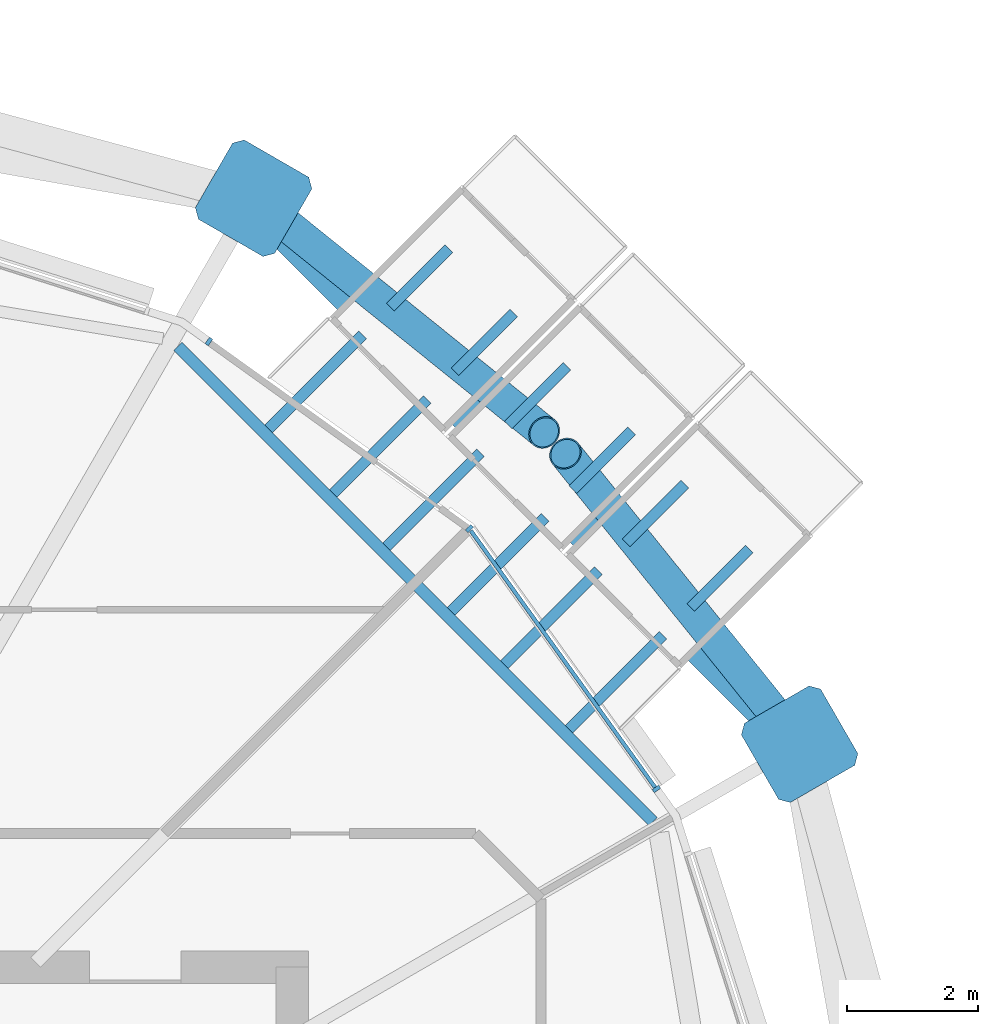
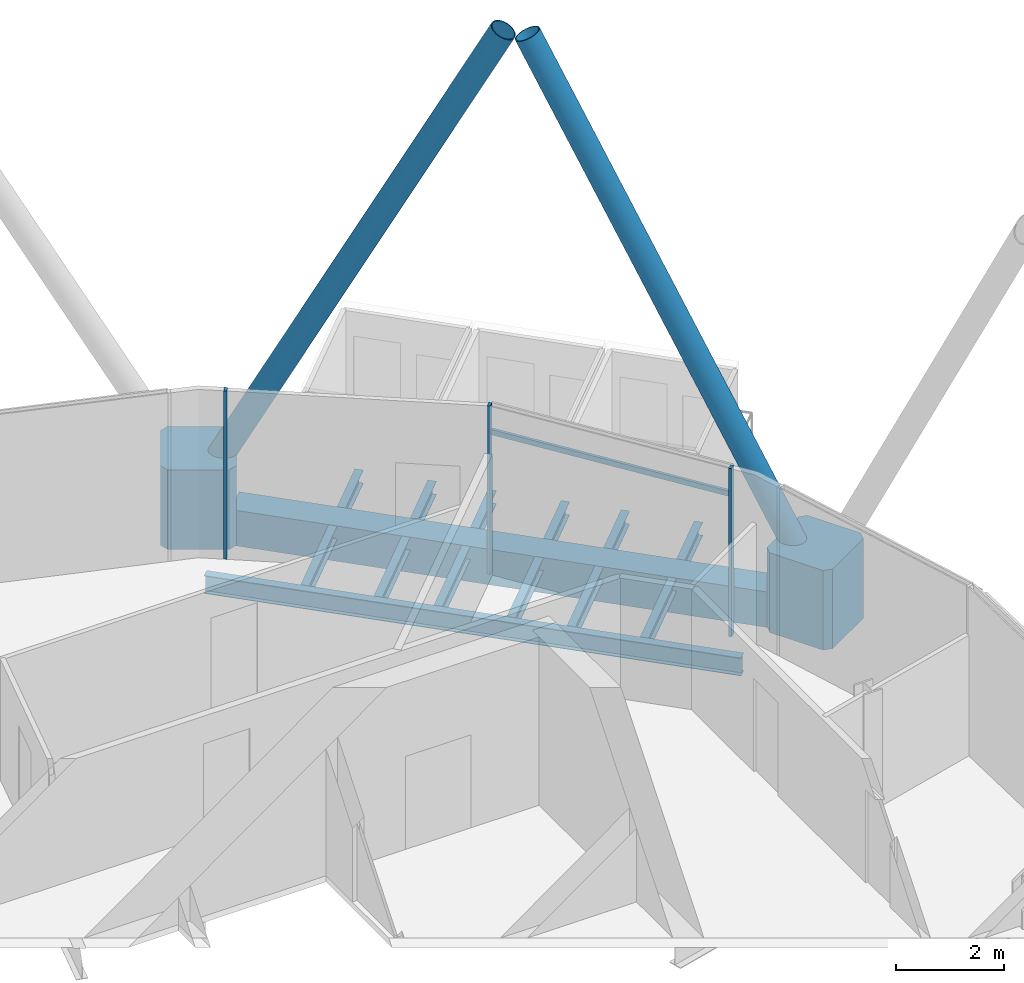
# One storey, part 18 of 34: 14 beams, 8 members, 1 element without a shape of its own.
"""IFC4 building model written with IfcOpenShell, lengths in metres."""

import ifcopenshell
import ifcopenshell.guid

model = None  # the IFC model being written
_history = None  # IfcOwnerHistory: only IFC2X3 demands one
_inside = {}  # id of a spatial element -> (the spatial element, [elements in it])
_under = {}  # id of a project, library or spatial element -> (it, [spatial elements below it])
_declared = {}  # id of a project -> (the project, [libraries it declares])
_typed = {}  # id of a type object -> (the type object, [elements of that type])
_made_of = {}  # id of a material, layer set ... -> (it, [elements and type objects made of it])


def new_model(schema):
    """Start an empty IFC model of exactly this schema.

    Asked for "IFC4X3", IfcOpenShell would pick the latest addendum, in which some entities
    have other attributes; the version numbers below select the first issue.
    IFC2X3 requires an IfcOwnerHistory on every rooted entity: one is made here for all.
    """
    global model, _history
    if schema == "IFC4X3":
        model = ifcopenshell.file(schema_version=(4, 3, 0, 0))
    else:
        model = ifcopenshell.file(schema=schema)
    _inside.clear()
    _under.clear()
    _declared.clear()
    _typed.clear()
    _made_of.clear()
    _history = None
    if model.schema == "IFC2X3":
        org = make("IfcOrganization", Name="unknown")
        user = make(
            "IfcPersonAndOrganization",
            ThePerson=make("IfcPerson", FamilyName="unknown"),
            TheOrganization=org,
        )
        app = make(
            "IfcApplication",
            ApplicationDeveloper=org,
            Version="unknown",
            ApplicationFullName="unknown",
            ApplicationIdentifier="unknown",
        )
        _history = make(
            "IfcOwnerHistory",
            OwningUser=user,
            OwningApplication=app,
            ChangeAction="ADDED",
            CreationDate=0,
        )
    return model


def make(cls, **values):
    """One entity of the class cls with the attributes given. An attribute that is None is left unset."""
    return model.create_entity(
        cls, **{name: value for name, value in values.items() if value is not None}
    )


def rooted(cls, **values):
    """An entity with a GlobalId (a new one), such as an element, a storey or a relation."""
    return make(cls, GlobalId=ifcopenshell.guid.new(), OwnerHistory=_history, **values)


def si_unit(unit_type, name, prefix=None):
    """IfcSIUnit, for example si_unit("LENGTHUNIT", "METRE", prefix="MILLI")."""
    return make("IfcSIUnit", UnitType=unit_type, Prefix=prefix, Name=name)


def assignment(units):
    """IfcUnitAssignment: the units of a project."""
    return None if units is None else make("IfcUnitAssignment", Units=units)


def point(xyz):
    """IfcCartesianPoint."""
    return None if xyz is None else make("IfcCartesianPoint", Coordinates=xyz)


def direction(xyz):
    """IfcDirection."""
    return None if xyz is None else make("IfcDirection", DirectionRatios=xyz)


def frame(location, z_axis=None, x_axis=None):
    """IfcAxis2Placement3D, a coordinate frame: its origin and axes. An axis left out is left unset."""
    return make(
        "IfcAxis2Placement3D",
        Location=point(location),
        Axis=direction(z_axis),
        RefDirection=direction(x_axis),
    )


def frame_2d(location, x_axis=None):
    """IfcAxis2Placement2D, a coordinate frame in the plane: its origin and x axis."""
    return make(
        "IfcAxis2Placement2D", Location=point(location), RefDirection=direction(x_axis)
    )


def origin():
    """The frame at (0, 0, 0) with its axes left unset."""
    return frame((0.0, 0.0, 0.0))


def origin_2d():
    """The frame at (0, 0) in the plane with its x axis left unset."""
    return frame_2d((0.0, 0.0))


def place(relative_to, where):
    """IfcLocalPlacement: puts the frame where relative to a parent placement (None: the world)."""
    return make(
        "IfcLocalPlacement", PlacementRelTo=relative_to, RelativePlacement=where
    )


def context(
    kind, dimensions, precision=None, world=None, true_north=None, identifier=None
):
    """IfcGeometricRepresentationContext, for example the 3D "Model" context."""
    return make(
        "IfcGeometricRepresentationContext",
        ContextIdentifier=identifier,
        ContextType=kind,
        CoordinateSpaceDimension=dimensions,
        Precision=precision,
        WorldCoordinateSystem=world,
        TrueNorth=true_north,
    )


def subcontext(parent, identifier, kind, view, scale=None):
    """IfcGeometricRepresentationSubContext, for example "Body" below "Model"."""
    return make(
        "IfcGeometricRepresentationSubContext",
        ContextIdentifier=identifier,
        ContextType=kind,
        ParentContext=parent,
        TargetScale=scale,
        TargetView=view,
    )


def project(units=None, contexts=None):
    """IfcProject with its units and contexts."""
    return rooted(
        "IfcProject",
        Name="project",
        RepresentationContexts=contexts,
        UnitsInContext=assignment(units),
    )


def spatial(cls, under=None, at=None, **own):
    """A site, building, storey or space (cls), placed at a placement, below another one or the project."""
    s = rooted(cls, ObjectPlacement=at, **own)
    if under is not None:
        _under.setdefault(under.id(), (under, []))[1].append(s)
    return s


def polyline(points):
    """IfcPolyline through the points."""
    return make("IfcPolyline", Points=[point(p) for p in points])


def profile(cls, at=None, kind="AREA", **sizes):
    """A parametric profile (cls). Its sizes go by their IFC names, for example OverallWidth=200.0."""
    return make(cls, ProfileType=kind, Position=at, **sizes)


def rectangle(**sizes):
    """IfcRectangleProfileDef."""
    return profile("IfcRectangleProfileDef", **sizes)


def hollow_rectangle(**sizes):
    """IfcRectangleHollowProfileDef."""
    return profile("IfcRectangleHollowProfileDef", **sizes)


def hollow_circle(**sizes):
    """IfcCircleHollowProfileDef."""
    return profile("IfcCircleHollowProfileDef", **sizes)


def i_section(**sizes):
    """IfcIShapeProfileDef."""
    return profile("IfcIShapeProfileDef", **sizes)


def outline(outer, holes=None, kind="AREA"):
    """IfcArbitraryClosedProfileDef: a profile drawn as a closed curve; with holes, ...WithVoids."""
    if holes is None:
        return make("IfcArbitraryClosedProfileDef", ProfileType=kind, OuterCurve=outer)
    return make(
        "IfcArbitraryProfileDefWithVoids",
        ProfileType=kind,
        OuterCurve=outer,
        InnerCurves=holes,
    )


def extrude(swept, where, along, depth):
    """IfcExtrudedAreaSolid: the profile swept, set in the frame where, extruded along a direction by depth."""
    return make(
        "IfcExtrudedAreaSolid",
        SweptArea=swept,
        Position=where,
        ExtrudedDirection=direction(along),
        Depth=depth,
    )


def shape(context_of_items, identifier, shape_type, items):
    """IfcShapeRepresentation: the items that make up one representation, for example the "Body"."""
    return make(
        "IfcShapeRepresentation",
        ContextOfItems=context_of_items,
        RepresentationIdentifier=identifier,
        RepresentationType=shape_type,
        Items=items,
    )


def material(Name=None, Category=None):
    """IfcMaterial."""
    return make("IfcMaterial", Name=Name, Category=Category)


def material_profile(
    of_material, cross_section, Name=None, Category=None, Priority=None
):
    """IfcMaterialProfile: a cross section and its material."""
    return make(
        "IfcMaterialProfile",
        Name=Name,
        Material=of_material,
        Profile=cross_section,
        Priority=Priority,
        Category=Category,
    )


def profile_set(profiles, Name=None, composite=None):
    """IfcMaterialProfileSet."""
    return make(
        "IfcMaterialProfileSet",
        Name=Name,
        MaterialProfiles=profiles,
        CompositeProfile=composite,
    )


def made_of(thing, what):
    """Note that an element or type object is made of a material, layer set ...; save() writes the relation."""
    if what is not None:
        _made_of.setdefault(what.id(), (what, []))[1].append(thing)
    return thing


def type_object(cls, material=None, **own):
    """A type object (cls), such as IfcWallType, which elements share."""
    return made_of(rooted(cls, **own), material)


def element(
    cls,
    number,
    at=None,
    inside=None,
    cuts=None,
    type_object=None,
    material=None,
    context=None,
    identifier="Body",
    shape_type=None,
    held_by="IfcProductDefinitionShape",
    body=None,
    shapes=None,
    **own,
):
    """One element of the class cls, such as IfcWall. Its Tag is "e" and its number.

    at: its placement. inside: the storey or other place that contains it. cuts: it is an
    opening in that element (IfcRelVoidsElement). A single representation is given by context,
    identifier, shape_type and body (its items); several are given by shapes. held_by: the class
    of the entity that holds the representations. save() writes the other relations.
    """
    e = rooted(cls, Tag="e%d" % number, ObjectPlacement=at, **own)
    if body is not None:
        shapes = [shape(context, identifier, shape_type, body)]
    if shapes is not None:
        e.Representation = make(held_by, Representations=shapes)
    if inside is not None:
        _inside.setdefault(inside.id(), (inside, []))[1].append(e)
    if cuts is not None:
        rooted(
            "IfcRelVoidsElement", RelatingBuildingElement=cuts, RelatedOpeningElement=e
        )
    if type_object is not None:
        _typed.setdefault(type_object.id(), (type_object, []))[1].append(e)
    return made_of(e, material)


def aggregate(whole, parts):
    """IfcRelAggregates: a whole, such as a stair, and the parts it consists of."""
    return rooted("IfcRelAggregates", RelatingObject=whole, RelatedObjects=parts)


def save(model, path):
    """Write the relations noted so far, then the file.

    IfcRelAggregates (storeys below a building ...), IfcRelContainedInSpatialStructure (elements
    in a storey), IfcRelDefinesByType, IfcRelAssociatesMaterial and IfcRelDeclares: one each for
    every whole, place, type object, material and project.
    """
    for whole, parts in _under.values():
        aggregate(whole, parts)
    for where, things in _inside.values():
        rooted(
            "IfcRelContainedInSpatialStructure",
            RelatedElements=things,
            RelatingStructure=where,
        )
    for kind, things in _typed.values():
        rooted("IfcRelDefinesByType", RelatedObjects=things, RelatingType=kind)
    for what, things in _made_of.values():
        rooted("IfcRelAssociatesMaterial", RelatedObjects=things, RelatingMaterial=what)
    for by, libraries in _declared.values():
        rooted("IfcRelDeclares", RelatingContext=by, RelatedDefinitions=libraries)
    model.write(path)


model = new_model("IFC4")

# Units and contexts
model_context = context("Model", 3, precision=1e-05, world=origin(), true_north=direction((0.0, 1.0)))
body_context = subcontext(model_context, "Body", "Model", "MODEL_VIEW")
ifc_project = project(units=[si_unit("LENGTHUNIT", "METRE"), si_unit("AREAUNIT", "SQUARE_METRE"), si_unit("VOLUMEUNIT", "CUBIC_METRE"), si_unit("PLANEANGLEUNIT", "RADIAN"), si_unit("MASSUNIT", "GRAM", prefix="KILO")], contexts=[model_context])

# Site, building, storey
site_placement = place(None, origin())
site = spatial("IfcSite", under=ifc_project, at=site_placement, CompositionType="ELEMENT")
building_placement = place(site_placement, origin())
building = spatial("IfcBuilding", under=site, at=building_placement, Name="Rimbun Link Towers", CompositionType="ELEMENT")
storey_placement = place(building_placement, frame((0.0, 0.0, 221.89990234375)))
storey = spatial("IfcBuildingStorey", under=building, at=storey_placement, Name="L54", CompositionType="ELEMENT", Elevation=221.89990234375)

# Curtain wall, members
ifc_material_1 = material(Name="Aluminium 6063-T6 and low-iron glass", Category="aluminium")
curtain_wall_type = type_object("IfcCurtainWallType", Name="CW1-Z4 unitised vision wall (zone 4)", PredefinedType="NOTDEFINED", material=ifc_material_1)
curtain_wall_placement = place(storey_placement, origin())
curtain_wall = element("IfcCurtainWall", 1, at=curtain_wall_placement, inside=storey, type_object=curtain_wall_type, Name="CW1 L54 T2", PredefinedType="NOTDEFINED")
ifc_material_2 = material(Name="Aluminium 6063-T6", Category="aluminium")
ifc_material_profile_1 = material_profile(ifc_material_2, rectangle(XDim=0.1201171875, YDim=0.06005859375, at=origin_2d()), Name="MULLION 60X120")
ifc_profile_set_1 = profile_set([ifc_material_profile_1], Name="Aluminium 6063-T6")
member_type_1 = type_object("IfcMemberType", Name="CW1 mullion 60X120", PredefinedType="MULLION", material=ifc_profile_set_1)
member_1_placement = place(storey_placement, frame((42.475341796875, 17.56982421875, 0.0), z_axis=(0.0, 0.0, 1.0), x_axis=(0.583009497334, 0.812465338349, 0.0)))
member_1 = element("IfcMember", 2, at=member_1_placement, type_object=member_type_1, Name="CW1 mullion", PredefinedType="MULLION", context=body_context, shape_type="SweptSolid", body=[
    extrude(rectangle(XDim=0.1201171875, YDim=0.06005859375, at=origin_2d()), origin(), (0.0, 0.0, 1.0), 3.800048828125),
])
member_2_placement = place(storey_placement, frame((46.459716796875, 14.709716796875, 0.0), z_axis=(0.0, 0.0, 1.0), x_axis=(0.707106781187, 0.707106781187, 0.0)))
member_2 = element("IfcMember", 3, at=member_2_placement, type_object=member_type_1, Name="CW1 mullion", PredefinedType="MULLION", context=body_context, shape_type="SweptSolid", body=[
    extrude(rectangle(XDim=0.1201171875, YDim=0.06005859375, at=origin_2d()), origin(), (0.0, 0.0, 1.0), 3.800048828125),
])
member_3_placement = place(storey_placement, frame((49.31982421875, 10.725341796875, 0.0), z_axis=(0.0, 0.0, 1.0), x_axis=(0.812465338349, 0.583009497334, 0.0)))
member_3 = element("IfcMember", 4, at=member_3_placement, type_object=member_type_1, Name="CW1 mullion", PredefinedType="MULLION", context=body_context, shape_type="SweptSolid", body=[
    extrude(rectangle(XDim=0.1201171875, YDim=0.06005859375, at=origin_2d()), origin(), (0.0, 0.0, 1.0), 3.800048828125),
])
ifc_material_3 = material(Name="Aluminium 6063-T6", Category="aluminium")
ifc_material_profile_2 = material_profile(ifc_material_3, rectangle(XDim=0.06005859375, YDim=0.1201171875, at=origin_2d()), Name="TRANSOM 60X120")
ifc_profile_set_2 = profile_set([ifc_material_profile_2], Name="Aluminium 6063-T6")
member_type_2 = type_object("IfcMemberType", Name="CW1 transom 60X120", PredefinedType="USERDEFINED", material=ifc_profile_set_2)
member_4_placement = place(storey_placement, frame((46.48193359375, 14.6767578125, 3.2001953125), z_axis=(0.583013681272, -0.812462336019, 0.0), x_axis=(0.812462336019, 0.583013681272, 0.0)))
member_4 = element("IfcMember", 5, at=member_4_placement, type_object=member_type_2, Name="CW1 transom", ObjectType="TRANSOM", PredefinedType="USERDEFINED", context=body_context, shape_type="SweptSolid", body=[
    extrude(rectangle(XDim=0.06005859375, YDim=0.1201171875, at=origin_2d()), origin(), (0.0, 0.0, 1.0), 4.8349609375),
])
aggregate(curtain_wall, [member_1, member_2, member_3, member_4])

# Beams
ifc_material_4 = material(Name="Steel S355J2", Category="steel")
ifc_material_profile_3 = material_profile(ifc_material_4, i_section(OverallWidth=0.1650390625, OverallDepth=0.303466796875, WebThickness=0.006103515625, FlangeThickness=0.01025390625, at=origin_2d()), Name="UB 305x165x40")
ifc_profile_set_3 = profile_set([ifc_material_profile_3], Name="Steel S355J2")
beam_type_1 = type_object("IfcBeamType", Name="Capsule bracket beam UB 305x165x40", PredefinedType="BEAM", material=ifc_profile_set_3)
beam_1_placement = place(storey_placement, frame((43.388427734375, 16.234619140625, -0.3115234375), z_axis=(0.707106781187, 0.707106781187, 0.0), x_axis=(-0.707106781187, 0.707106781187, 0.0)))
element("IfcBeam", 6, at=beam_1_placement, inside=storey, type_object=beam_type_1, Name="Capsule D542.01 bracket beam 1", PredefinedType="BEAM", context=body_context, shape_type="SweptSolid", body=[
    extrude(i_section(OverallWidth=0.1650390625, OverallDepth=0.303466796875, WebThickness=0.006103515625, FlangeThickness=0.01025390625, at=origin_2d()), origin(), (0.0, 0.0, 1.0), 2.031494140625),
])
beam_2_placement = place(storey_placement, frame((45.2490234375, 18.09521484375, -0.3115234375), z_axis=(0.707106781187, 0.707106781187, 0.0), x_axis=(-0.707106781187, 0.707106781187, 0.0)))
element("IfcBeam", 7, at=beam_2_placement, inside=storey, type_object=beam_type_1, Name="Capsule D542.01 bracket beam 2", PredefinedType="BEAM", context=body_context, shape_type="SweptSolid", body=[
    extrude(i_section(OverallWidth=0.1650390625, OverallDepth=0.303466796875, WebThickness=0.006103515625, FlangeThickness=0.01025390625, at=origin_2d()), origin(), (0.0, 0.0, 1.0), 1.269775390625),
])
beam_3_placement = place(storey_placement, frame((44.37841796875, 15.24462890625, -0.3115234375), z_axis=(0.707106781187, 0.707106781187, 0.0), x_axis=(-0.707106781187, 0.707106781187, 0.0)))
element("IfcBeam", 8, at=beam_3_placement, inside=storey, type_object=beam_type_1, Name="Capsule D542.01 bracket beam 3", PredefinedType="BEAM", context=body_context, shape_type="SweptSolid", body=[
    extrude(i_section(OverallWidth=0.1650390625, OverallDepth=0.303466796875, WebThickness=0.006103515625, FlangeThickness=0.01025390625, at=origin_2d()), origin(), (0.0, 0.0, 1.0), 2.031494140625),
])
beam_4_placement = place(storey_placement, frame((46.239013671875, 17.10546875, -0.3115234375), z_axis=(0.707202914253, 0.707010635049, 0.0), x_axis=(-0.707010635049, 0.707202914253, 0.0)))
element("IfcBeam", 9, at=beam_4_placement, inside=storey, type_object=beam_type_1, Name="Capsule D542.01 bracket beam 4", PredefinedType="BEAM", context=body_context, shape_type="SweptSolid", body=[
    extrude(i_section(OverallWidth=0.1650390625, OverallDepth=0.303466796875, WebThickness=0.006103515625, FlangeThickness=0.01025390625, at=origin_2d()), origin(), (0.0, 0.0, 1.0), 1.269775390625),
])
beam_5_placement = place(storey_placement, frame((45.19140625, 14.431396484375, -0.3115234375), z_axis=(0.707106781187, 0.707106781187, 0.0), x_axis=(-0.707106781187, 0.707106781187, 0.0)))
element("IfcBeam", 10, at=beam_5_placement, inside=storey, type_object=beam_type_1, Name="Capsule D542.02 bracket beam 1", PredefinedType="BEAM", context=body_context, shape_type="SweptSolid", body=[
    extrude(i_section(OverallWidth=0.1650390625, OverallDepth=0.303466796875, WebThickness=0.006103515625, FlangeThickness=0.01025390625, at=origin_2d()), origin(), (0.0, 0.0, 1.0), 2.031494140625),
])
beam_6_placement = place(storey_placement, frame((47.05224609375, 16.292236328125, -0.3115234375), z_axis=(0.707202914253, 0.707010635049, 0.0), x_axis=(-0.707010635049, 0.707202914253, 0.0)))
element("IfcBeam", 11, at=beam_6_placement, inside=storey, type_object=beam_type_1, Name="Capsule D542.02 bracket beam 2", PredefinedType="BEAM", context=body_context, shape_type="SweptSolid", body=[
    extrude(i_section(OverallWidth=0.1650390625, OverallDepth=0.303466796875, WebThickness=0.006103515625, FlangeThickness=0.01025390625, at=origin_2d()), origin(), (0.0, 0.0, 1.0), 1.269775390625),
])
beam_7_placement = place(storey_placement, frame((46.181396484375, 13.44140625, -0.3115234375), z_axis=(0.707106781187, 0.707106781187, 0.0), x_axis=(-0.707106781187, 0.707106781187, 0.0)))
element("IfcBeam", 12, at=beam_7_placement, inside=storey, type_object=beam_type_1, Name="Capsule D542.02 bracket beam 3", PredefinedType="BEAM", context=body_context, shape_type="SweptSolid", body=[
    extrude(i_section(OverallWidth=0.1650390625, OverallDepth=0.303466796875, WebThickness=0.006103515625, FlangeThickness=0.01025390625, at=origin_2d()), origin(), (0.0, 0.0, 1.0), 2.031494140625),
])
beam_8_placement = place(storey_placement, frame((48.042236328125, 15.30224609375, -0.3115234375), z_axis=(0.707010635049, 0.707202914253, 0.0), x_axis=(-0.707202914253, 0.707010635049, 0.0)))
element("IfcBeam", 13, at=beam_8_placement, inside=storey, type_object=beam_type_1, Name="Capsule D542.02 bracket beam 4", PredefinedType="BEAM", context=body_context, shape_type="SweptSolid", body=[
    extrude(i_section(OverallWidth=0.1650390625, OverallDepth=0.303466796875, WebThickness=0.006103515625, FlangeThickness=0.01025390625, at=origin_2d()), origin(), (0.0, 0.0, 1.0), 1.269775390625),
])
beam_9_placement = place(storey_placement, frame((46.99462890625, 12.62841796875, -0.3115234375), z_axis=(0.707106781187, 0.707106781187, 0.0), x_axis=(-0.707106781187, 0.707106781187, 0.0)))
element("IfcBeam", 14, at=beam_9_placement, inside=storey, type_object=beam_type_1, Name="Capsule D542.03 bracket beam 1", PredefinedType="BEAM", context=body_context, shape_type="SweptSolid", body=[
    extrude(i_section(OverallWidth=0.1650390625, OverallDepth=0.303466796875, WebThickness=0.006103515625, FlangeThickness=0.01025390625, at=origin_2d()), origin(), (0.0, 0.0, 1.0), 2.031494140625),
])
beam_10_placement = place(storey_placement, frame((48.85546875, 14.489013671875, -0.3115234375), z_axis=(0.707010635049, 0.707202914253, 0.0), x_axis=(-0.707202914253, 0.707010635049, 0.0)))
element("IfcBeam", 15, at=beam_10_placement, inside=storey, type_object=beam_type_1, Name="Capsule D542.03 bracket beam 2", PredefinedType="BEAM", context=body_context, shape_type="SweptSolid", body=[
    extrude(i_section(OverallWidth=0.1650390625, OverallDepth=0.303466796875, WebThickness=0.006103515625, FlangeThickness=0.01025390625, at=origin_2d()), origin(), (0.0, 0.0, 1.0), 1.269775390625),
])
beam_11_placement = place(storey_placement, frame((47.984619140625, 11.638427734375, -0.3115234375), z_axis=(0.707106781187, 0.707106781187, 0.0), x_axis=(-0.707106781187, 0.707106781187, 0.0)))
element("IfcBeam", 16, at=beam_11_placement, inside=storey, type_object=beam_type_1, Name="Capsule D542.03 bracket beam 3", PredefinedType="BEAM", context=body_context, shape_type="SweptSolid", body=[
    extrude(i_section(OverallWidth=0.1650390625, OverallDepth=0.303466796875, WebThickness=0.006103515625, FlangeThickness=0.01025390625, at=origin_2d()), origin(), (0.0, 0.0, 1.0), 2.031494140625),
])
beam_12_placement = place(storey_placement, frame((49.84521484375, 13.4990234375, -0.3115234375), z_axis=(0.707106781187, 0.707106781187, 0.0), x_axis=(-0.707106781187, 0.707106781187, 0.0)))
element("IfcBeam", 17, at=beam_12_placement, inside=storey, type_object=beam_type_1, Name="Capsule D542.03 bracket beam 4", PredefinedType="BEAM", context=body_context, shape_type="SweptSolid", body=[
    extrude(i_section(OverallWidth=0.1650390625, OverallDepth=0.303466796875, WebThickness=0.006103515625, FlangeThickness=0.01025390625, at=origin_2d()), origin(), (0.0, 0.0, 1.0), 1.269775390625),
])

# Members
ifc_material_5 = material(Name="Steel S355J2H", Category="steel")
ifc_material_profile_4 = material_profile(ifc_material_5, hollow_circle(Radius=0.25390625, WallThickness=0.02001953125, at=origin_2d()), Name="Diagrid diagonal CHS 508x20")
ifc_profile_set_4 = profile_set([ifc_material_profile_4], Name="Steel S355J2H")
member_type_3 = type_object("IfcMemberType", Name="Diagrid diagonal CHS 508x20", PredefinedType="BRACE", material=ifc_profile_set_4)
for number, where, z_axis, x_axis, name in (
    (18, (43.339111328125, 19.6162109375, 0.443603515625), (0.359765350387, -0.289970584089, 0.886840432673), (0.627538994057, 0.778585134033, 0.0), "Diagrid diagonal T2 L54-L57 01a"),
    (19, (51.3662109375, 11.589111328125, 0.443603515625), (-0.289970584089, 0.359765350387, 0.886840432673), (-0.778585134033, -0.627538994057, 0.0), "Diagrid diagonal T2 L54-L57 23b"),
):
    element("IfcMember", number, at=place(storey_placement, frame(where, z_axis=z_axis, x_axis=x_axis)), inside=storey, type_object=member_type_3, Name=name, PredefinedType="BRACE", context=body_context, shape_type="SweptSolid", body=[
        extrude(hollow_circle(Radius=0.25390625, WallThickness=0.02001953125, at=origin_2d()), origin(), (0.0, 0.0, 1.0), 11.854736328125),
    ])
ifc_material_6 = material(Name="Cast steel G20Mn5+QT, Rp0.2 300 MPa", Category="steel")
ifc_material_profile_5 = material_profile(ifc_material_6, outline(polyline([(0.699951171875, -0.570068359375), (0.699951171875, 0.570068359375), (0.570068359375, 0.699951171875), (-0.570068359375, 0.699951171875), (-0.699951171875, 0.570068359375), (-0.699951171875, -0.570068359375), (-0.570068359375, -0.699951171875), (0.570068359375, -0.699951171875), (0.699951171875, -0.570068359375)])), Name="NODE 1400x1400")
ifc_profile_set_5 = profile_set([ifc_material_profile_5], Name="Cast steel G20Mn5+QT, Rp0.2 300 MPa")
member_type_4 = type_object("IfcMemberType", Name="Diagrid node cast 1400", PredefinedType="USERDEFINED", material=ifc_profile_set_5)
for number, where, z_axis, x_axis, name in (
    (20, (43.1591796875, 19.760986328125, -0.89990234375), (0.0, 0.0, 1.0), (0.5, 0.866025403784, 0.0), "Diagrid node L54 01"),
    (21, (51.510986328125, 11.4091796875, -0.89990234375), (0.0, 0.0, 1.0), (0.866025403784, 0.5, 0.0), "Diagrid node L54 23"),
):
    element("IfcMember", number, at=place(storey_placement, frame(where, z_axis=z_axis, x_axis=x_axis)), inside=storey, type_object=member_type_4, Name=name, ObjectType="Diagrid node", PredefinedType="USERDEFINED", context=body_context, shape_type="SweptSolid", body=[
        extrude(outline(polyline([(0.699951171875, -0.570068359375), (0.699951171875, 0.570068359375), (0.570068359375, 0.699951171875), (-0.570068359375, 0.699951171875), (-0.699951171875, 0.570068359375), (-0.699951171875, -0.570068359375), (-0.570068359375, -0.699951171875), (0.570068359375, -0.699951171875), (0.699951171875, -0.570068359375)])), origin(), (0.0, 0.0, 1.0), 1.800048828125),
    ])

# Beams
ifc_material_7 = material(Name="Steel S355J2", Category="steel")
ifc_material_profile_6 = material_profile(ifc_material_7, hollow_rectangle(XDim=0.60009765625, YDim=0.800048828125, WallThickness=0.0400390625, at=origin_2d()), Name="Exoskeleton ring girder BOX 600x800x40")
ifc_profile_set_6 = profile_set([ifc_material_profile_6], Name="Steel S355J2")
beam_type_2 = type_object("IfcBeamType", Name="Exoskeleton ring girder BOX 600x800x40", PredefinedType="BEAM", material=ifc_profile_set_6)
beam_13_placement = place(storey_placement, frame((51.01611328125, 11.904052734375, -0.559814453125), z_axis=(-0.707106781187, 0.707106781187, 0.0), x_axis=(-0.707106781187, -0.707106781187, 0.0)))
element("IfcBeam", 22, at=beam_13_placement, inside=storey, type_object=beam_type_2, Name="Exoskeleton ring girder L54 11", PredefinedType="BEAM", context=body_context, shape_type="SweptSolid", body=[
    extrude(hollow_rectangle(XDim=0.60009765625, YDim=0.800048828125, WallThickness=0.0400390625, at=origin_2d()), origin(), (0.0, 0.0, 1.0), 10.41162109375),
])
ifc_material_8 = material(Name="Steel S355J2", Category="steel")
ifc_material_profile_7 = material_profile(ifc_material_8, i_section(OverallWidth=0.177978515625, OverallDepth=0.406494140625, WebThickness=0.0078125, FlangeThickness=0.0126953125, at=origin_2d()), Name="UB 406x178x60")
ifc_profile_set_7 = profile_set([ifc_material_profile_7], Name="Steel S355J2")
beam_type_3 = type_object("IfcBeamType", Name="UB 406x178x60", PredefinedType="BEAM", material=ifc_profile_set_7)
beam_14_placement = place(storey_placement, frame((49.270751953125, 10.226318359375, -0.343017578125), z_axis=(-0.707106781187, 0.707106781187, 0.0), x_axis=(-0.707106781187, -0.707106781187, 0.0)))
element("IfcBeam", 23, at=beam_14_placement, inside=storey, type_object=beam_type_3, Name="Edge beam T2 L54 23-01", PredefinedType="BEAM", context=body_context, shape_type="SweptSolid", body=[
    extrude(i_section(OverallWidth=0.177978515625, OverallDepth=0.406494140625, WebThickness=0.0078125, FlangeThickness=0.0126953125, at=origin_2d()), origin(), (0.0, 0.0, 1.0), 10.28271484375),
])

save(model, "model.ifc")
